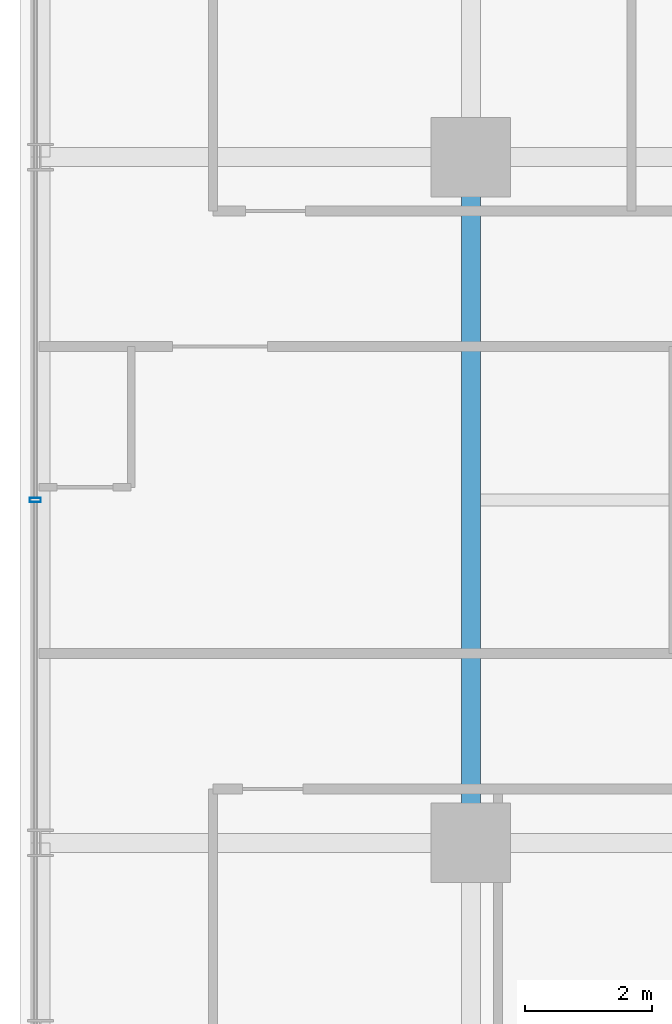
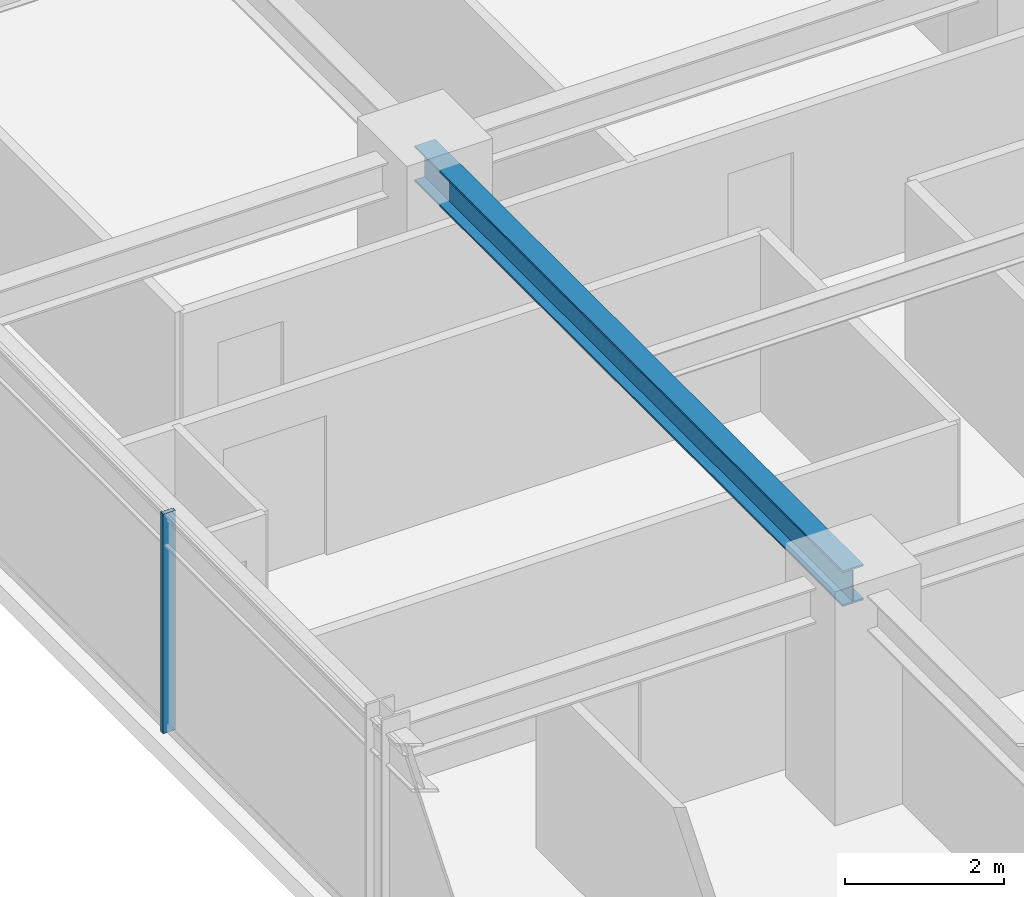
# One storey, part 8 of 41: 1 beam, 1 member, 1 element without a shape of its own.
"""IFC4 building model written with IfcOpenShell, lengths in metres."""

from ifc_helpers import new_model, si_unit, direction, frame, origin, origin_2d, place, context, subcontext, project, spatial, hollow_rectangle, i_section, extrude, source, transform, mapped, material, material_profile, profile_set, type_object, element, aggregate, save


model = new_model("IFC4")

# Units and contexts
model_context = context("Model", 3, precision=1e-05, world=origin(), true_north=direction((0.0, 1.0)))
body_context = subcontext(model_context, "Body", "Model", "MODEL_VIEW")
ifc_project = project(units=[si_unit("LENGTHUNIT", "METRE"), si_unit("AREAUNIT", "SQUARE_METRE"), si_unit("VOLUMEUNIT", "CUBIC_METRE"), si_unit("PLANEANGLEUNIT", "RADIAN"), si_unit("MASSUNIT", "GRAM", prefix="KILO")], contexts=[model_context])

# Site, building, storey
site_placement = place(None, origin())
site = spatial("IfcSite", under=ifc_project, at=site_placement, CompositionType="ELEMENT")
building_placement = place(site_placement, origin())
building = spatial("IfcBuilding", under=site, at=building_placement, Name="Nahalor Promenade Grand Hotel", CompositionType="ELEMENT")
storey_placement = place(building_placement, frame((0.0, 0.0, 113.85009765625)))
storey = spatial("IfcBuildingStorey", under=building, at=storey_placement, Name="L28", CompositionType="ELEMENT", Elevation=113.85009765625)

# Beam
ifc_material_1 = material(Name="Steel S355JR", Category="steel")
ifc_material_profile_1 = material_profile(ifc_material_1, i_section(OverallWidth=0.3, OverallDepth=0.55, WebThickness=0.015, FlangeThickness=0.029, at=origin_2d()), Name="HEB 550")
ifc_profile_set_1 = profile_set([ifc_material_profile_1], Name="Steel S355JR")
beam_type = type_object("IfcBeamType", Name="Beam-Girder-HEB550", PredefinedType="BEAM", material=ifc_profile_set_1)
shared_shape_1 = source(origin(), body_context, "Body", "SweptSolid", [
    extrude(i_section(OverallWidth=0.3, OverallDepth=0.55, WebThickness=0.015, FlangeThickness=0.029, at=origin_2d()), origin(), (0.0, 0.0, 1.0), 10.7998046875),
])
beam_placement = place(storey_placement, frame((-17.0, -5.39990234375, 3.10498046875), z_axis=(0.0, 1.0, 0.0), x_axis=(-1.0, 0.0, 0.0)))
element("IfcBeam", 1, at=beam_placement, inside=storey, type_object=beam_type, Name="BM-L28-GY-0-2", PredefinedType="BEAM", context=body_context, shape_type="MappedRepresentation", body=[
    mapped(shared_shape_1, transform((0.0, 0.0, 0.0), scale=1.0)),
])

# Curtain wall, member
ifc_material_2 = material(Name="Anodised Bronze Aluminium EN AW-6063 T6", Category="aluminium")
curtain_wall_type = type_object("IfcCurtainWallType", Name="CW2 Typical Hotel Flush Bronze Unitised Curtain Wall", PredefinedType="USERDEFINED", material=ifc_material_2)
curtain_wall_placement = place(storey_placement, origin())
curtain_wall = element("IfcCurtainWall", 2, at=curtain_wall_placement, inside=storey, type_object=curtain_wall_type, Name="L28 Curtain Wall CW-L28-W-1", ObjectType="UNITISED_CURTAIN_WALL", PredefinedType="USERDEFINED")
ifc_material_profile_2 = material_profile(ifc_material_2, hollow_rectangle(XDim=0.065, YDim=0.18, WallThickness=0.004, at=origin_2d()), Name="CWM 65x180x4")
ifc_profile_set_2 = profile_set([ifc_material_profile_2], Name="Anodised Bronze Aluminium EN AW-6063 T6")
member_type = type_object("IfcMemberType", Name="CWM2 Typical Bronze Mullion 65x180", PredefinedType="MULLION", material=ifc_profile_set_2)
shared_shape_2 = source(origin(), body_context, "Body", "SweptSolid", [
    extrude(hollow_rectangle(XDim=0.065, YDim=0.18, WallThickness=0.004, at=origin_2d()), origin(), (0.0, 0.0, 1.0), 3.3798828125),
])
member_placement = place(storey_placement, frame((-23.860107421875, 0.0, 0.0), z_axis=(0.0, 0.0, 1.0), x_axis=(0.0, 1.0, 0.0)))
member = element("IfcMember", 3, at=member_placement, type_object=member_type, Name="CW-L28-W-1 Mullion 2", PredefinedType="MULLION", context=body_context, shape_type="MappedRepresentation", body=[
    mapped(shared_shape_2, transform((0.0, 0.0, 0.0), scale=1.0)),
])
aggregate(curtain_wall, [member])

save(model, "model.ifc")
